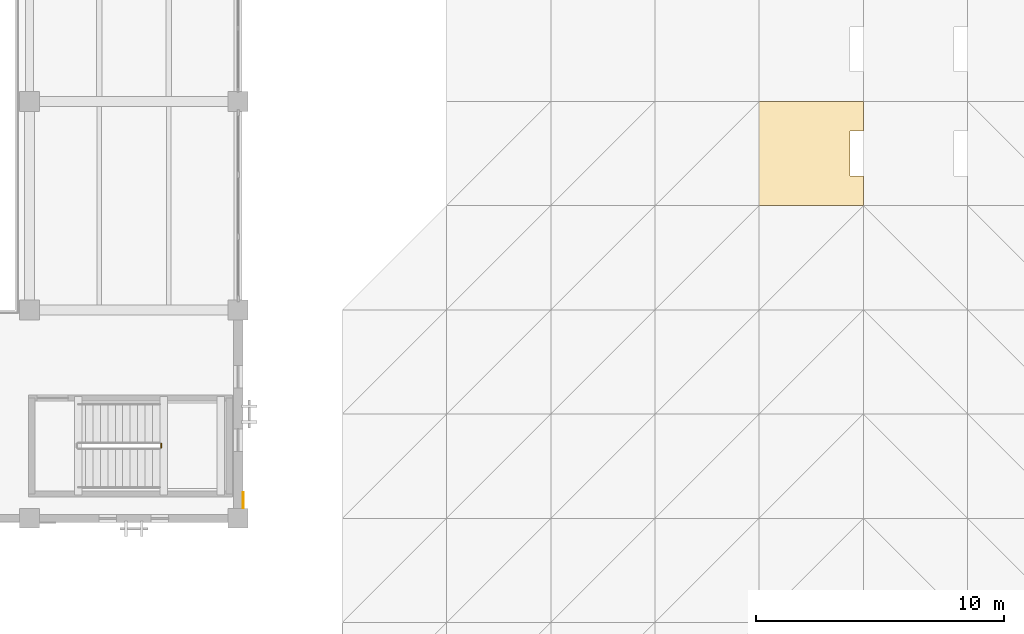
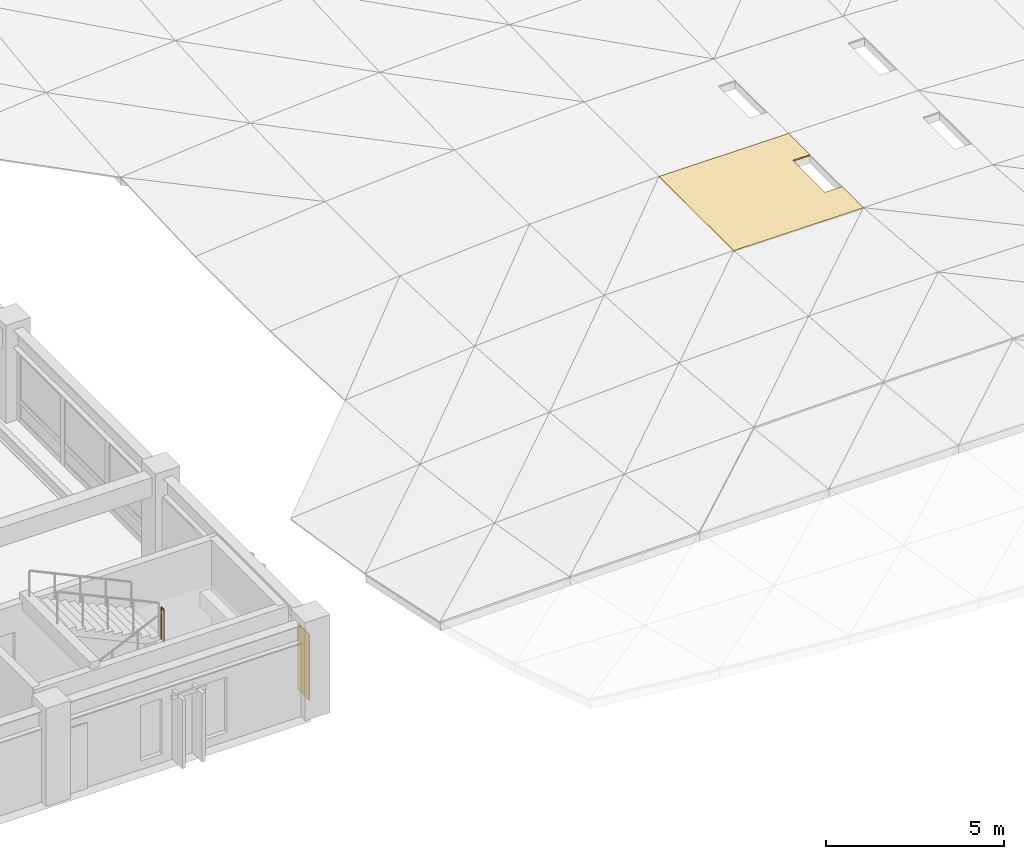
# One storey, part 108 of 123: 2 coverings, 1 railing.
"""IFC4 building model written with IfcOpenShell, lengths in metres."""

import ifcopenshell
import ifcopenshell.guid

model = None  # the IFC model being written
_history = None  # IfcOwnerHistory: only IFC2X3 demands one
_inside = {}  # id of a spatial element -> (the spatial element, [elements in it])
_under = {}  # id of a project, library or spatial element -> (it, [spatial elements below it])
_declared = {}  # id of a project -> (the project, [libraries it declares])
_typed = {}  # id of a type object -> (the type object, [elements of that type])
_made_of = {}  # id of a material, layer set ... -> (it, [elements and type objects made of it])


def new_model(schema):
    """Start an empty IFC model of exactly this schema.

    Asked for "IFC4X3", IfcOpenShell would pick the latest addendum, in which some entities
    have other attributes; the version numbers below select the first issue.
    IFC2X3 requires an IfcOwnerHistory on every rooted entity: one is made here for all.
    """
    global model, _history
    if schema == "IFC4X3":
        model = ifcopenshell.file(schema_version=(4, 3, 0, 0))
    else:
        model = ifcopenshell.file(schema=schema)
    _inside.clear()
    _under.clear()
    _declared.clear()
    _typed.clear()
    _made_of.clear()
    _history = None
    if model.schema == "IFC2X3":
        org = make("IfcOrganization", Name="unknown")
        user = make(
            "IfcPersonAndOrganization",
            ThePerson=make("IfcPerson", FamilyName="unknown"),
            TheOrganization=org,
        )
        app = make(
            "IfcApplication",
            ApplicationDeveloper=org,
            Version="unknown",
            ApplicationFullName="unknown",
            ApplicationIdentifier="unknown",
        )
        _history = make(
            "IfcOwnerHistory",
            OwningUser=user,
            OwningApplication=app,
            ChangeAction="ADDED",
            CreationDate=0,
        )
    return model


def make(cls, **values):
    """One entity of the class cls with the attributes given. An attribute that is None is left unset."""
    return model.create_entity(
        cls, **{name: value for name, value in values.items() if value is not None}
    )


def rooted(cls, **values):
    """An entity with a GlobalId (a new one), such as an element, a storey or a relation."""
    return make(cls, GlobalId=ifcopenshell.guid.new(), OwnerHistory=_history, **values)


def si_unit(unit_type, name, prefix=None):
    """IfcSIUnit, for example si_unit("LENGTHUNIT", "METRE", prefix="MILLI")."""
    return make("IfcSIUnit", UnitType=unit_type, Prefix=prefix, Name=name)


def assignment(units):
    """IfcUnitAssignment: the units of a project."""
    return None if units is None else make("IfcUnitAssignment", Units=units)


def point(xyz):
    """IfcCartesianPoint."""
    return None if xyz is None else make("IfcCartesianPoint", Coordinates=xyz)


def direction(xyz):
    """IfcDirection."""
    return None if xyz is None else make("IfcDirection", DirectionRatios=xyz)


def frame(location, z_axis=None, x_axis=None):
    """IfcAxis2Placement3D, a coordinate frame: its origin and axes. An axis left out is left unset."""
    return make(
        "IfcAxis2Placement3D",
        Location=point(location),
        Axis=direction(z_axis),
        RefDirection=direction(x_axis),
    )


def frame_2d(location, x_axis=None):
    """IfcAxis2Placement2D, a coordinate frame in the plane: its origin and x axis."""
    return make(
        "IfcAxis2Placement2D", Location=point(location), RefDirection=direction(x_axis)
    )


def origin():
    """The frame at (0, 0, 0) with its axes left unset."""
    return frame((0.0, 0.0, 0.0))


def origin_2d():
    """The frame at (0, 0) in the plane with its x axis left unset."""
    return frame_2d((0.0, 0.0))


def place(relative_to, where):
    """IfcLocalPlacement: puts the frame where relative to a parent placement (None: the world)."""
    return make(
        "IfcLocalPlacement", PlacementRelTo=relative_to, RelativePlacement=where
    )


def context(
    kind, dimensions, precision=None, world=None, true_north=None, identifier=None
):
    """IfcGeometricRepresentationContext, for example the 3D "Model" context."""
    return make(
        "IfcGeometricRepresentationContext",
        ContextIdentifier=identifier,
        ContextType=kind,
        CoordinateSpaceDimension=dimensions,
        Precision=precision,
        WorldCoordinateSystem=world,
        TrueNorth=true_north,
    )


def subcontext(parent, identifier, kind, view, scale=None):
    """IfcGeometricRepresentationSubContext, for example "Body" below "Model"."""
    return make(
        "IfcGeometricRepresentationSubContext",
        ContextIdentifier=identifier,
        ContextType=kind,
        ParentContext=parent,
        TargetScale=scale,
        TargetView=view,
    )


def project(units=None, contexts=None):
    """IfcProject with its units and contexts."""
    return rooted(
        "IfcProject",
        Name="project",
        RepresentationContexts=contexts,
        UnitsInContext=assignment(units),
    )


def spatial(cls, under=None, at=None, **own):
    """A site, building, storey or space (cls), placed at a placement, below another one or the project."""
    s = rooted(cls, ObjectPlacement=at, **own)
    if under is not None:
        _under.setdefault(under.id(), (under, []))[1].append(s)
    return s


def polyline(points):
    """IfcPolyline through the points."""
    return make("IfcPolyline", Points=[point(p) for p in points])


def profile(cls, at=None, kind="AREA", **sizes):
    """A parametric profile (cls). Its sizes go by their IFC names, for example OverallWidth=200.0."""
    return make(cls, ProfileType=kind, Position=at, **sizes)


def circle(**sizes):
    """IfcCircleProfileDef."""
    return profile("IfcCircleProfileDef", **sizes)


def outline(outer, holes=None, kind="AREA"):
    """IfcArbitraryClosedProfileDef: a profile drawn as a closed curve; with holes, ...WithVoids."""
    if holes is None:
        return make("IfcArbitraryClosedProfileDef", ProfileType=kind, OuterCurve=outer)
    return make(
        "IfcArbitraryProfileDefWithVoids",
        ProfileType=kind,
        OuterCurve=outer,
        InnerCurves=holes,
    )


def extrude(swept, where, along, depth):
    """IfcExtrudedAreaSolid: the profile swept, set in the frame where, extruded along a direction by depth."""
    return make(
        "IfcExtrudedAreaSolid",
        SweptArea=swept,
        Position=where,
        ExtrudedDirection=direction(along),
        Depth=depth,
    )


def shape(context_of_items, identifier, shape_type, items):
    """IfcShapeRepresentation: the items that make up one representation, for example the "Body"."""
    return make(
        "IfcShapeRepresentation",
        ContextOfItems=context_of_items,
        RepresentationIdentifier=identifier,
        RepresentationType=shape_type,
        Items=items,
    )


def material(Name=None, Category=None):
    """IfcMaterial."""
    return make("IfcMaterial", Name=Name, Category=Category)


def layer(
    of_material, thickness, ventilated=None, Name=None, Category=None, Priority=None
):
    """IfcMaterialLayer: one layer of a wall or slab, of a material (None: an air gap)."""
    return make(
        "IfcMaterialLayer",
        Material=of_material,
        LayerThickness=thickness,
        IsVentilated=ventilated,
        Name=Name,
        Category=Category,
        Priority=Priority,
    )


def layer_set(layers, Name=None):
    """IfcMaterialLayerSet."""
    return make("IfcMaterialLayerSet", MaterialLayers=layers, LayerSetName=Name)


def made_of(thing, what):
    """Note that an element or type object is made of a material, layer set ...; save() writes the relation."""
    if what is not None:
        _made_of.setdefault(what.id(), (what, []))[1].append(thing)
    return thing


def type_object(cls, material=None, **own):
    """A type object (cls), such as IfcWallType, which elements share."""
    return made_of(rooted(cls, **own), material)


def element(
    cls,
    number,
    at=None,
    inside=None,
    cuts=None,
    type_object=None,
    material=None,
    context=None,
    identifier="Body",
    shape_type=None,
    held_by="IfcProductDefinitionShape",
    body=None,
    shapes=None,
    **own,
):
    """One element of the class cls, such as IfcWall. Its Tag is "e" and its number.

    at: its placement. inside: the storey or other place that contains it. cuts: it is an
    opening in that element (IfcRelVoidsElement). A single representation is given by context,
    identifier, shape_type and body (its items); several are given by shapes. held_by: the class
    of the entity that holds the representations. save() writes the other relations.
    """
    e = rooted(cls, Tag="e%d" % number, ObjectPlacement=at, **own)
    if body is not None:
        shapes = [shape(context, identifier, shape_type, body)]
    if shapes is not None:
        e.Representation = make(held_by, Representations=shapes)
    if inside is not None:
        _inside.setdefault(inside.id(), (inside, []))[1].append(e)
    if cuts is not None:
        rooted(
            "IfcRelVoidsElement", RelatingBuildingElement=cuts, RelatedOpeningElement=e
        )
    if type_object is not None:
        _typed.setdefault(type_object.id(), (type_object, []))[1].append(e)
    return made_of(e, material)


def aggregate(whole, parts):
    """IfcRelAggregates: a whole, such as a stair, and the parts it consists of."""
    return rooted("IfcRelAggregates", RelatingObject=whole, RelatedObjects=parts)


def save(model, path):
    """Write the relations noted so far, then the file.

    IfcRelAggregates (storeys below a building ...), IfcRelContainedInSpatialStructure (elements
    in a storey), IfcRelDefinesByType, IfcRelAssociatesMaterial and IfcRelDeclares: one each for
    every whole, place, type object, material and project.
    """
    for whole, parts in _under.values():
        aggregate(whole, parts)
    for where, things in _inside.values():
        rooted(
            "IfcRelContainedInSpatialStructure",
            RelatedElements=things,
            RelatingStructure=where,
        )
    for kind, things in _typed.values():
        rooted("IfcRelDefinesByType", RelatedObjects=things, RelatingType=kind)
    for what, things in _made_of.values():
        rooted("IfcRelAssociatesMaterial", RelatedObjects=things, RelatingMaterial=what)
    for by, libraries in _declared.values():
        rooted("IfcRelDeclares", RelatingContext=by, RelatedDefinitions=libraries)
    model.write(path)


model = new_model("IFC4")

# Units and contexts
model_context = context("Model", 3, precision=1e-05, world=origin(), true_north=direction((0.0, 1.0)))
body_context = subcontext(model_context, "Body", "Model", "MODEL_VIEW")
ifc_project = project(units=[si_unit("LENGTHUNIT", "METRE"), si_unit("AREAUNIT", "SQUARE_METRE"), si_unit("VOLUMEUNIT", "CUBIC_METRE"), si_unit("PLANEANGLEUNIT", "RADIAN"), si_unit("MASSUNIT", "GRAM", prefix="KILO")], contexts=[model_context])

# Site, building, storey
site_placement = place(None, origin())
site = spatial("IfcSite", under=ifc_project, at=site_placement, CompositionType="ELEMENT")
building_placement = place(site_placement, origin())
building = spatial("IfcBuilding", under=site, at=building_placement, Name="Cumbredor Promenade Congress Hotel", CompositionType="ELEMENT")
storey_placement = place(building_placement, frame((0.0, 0.0, 11.760009765625)))
storey = spatial("IfcBuildingStorey", under=building, at=storey_placement, Name="L03", CompositionType="ELEMENT", Elevation=11.760009765625)

# Railing
ifc_material_1 = material(Name="Brushed stainless steel", Category="steel")
railing_type = type_object("IfcRailingType", Name="Interior Void & Stair Guardrail GR-1100", PredefinedType="GUARDRAIL", material=ifc_material_1)
railing_placement = place(storey_placement, frame((64.10009765625, 11.25, 1.679931640625)))
element("IfcRailing", 1, at=railing_placement, inside=storey, type_object=railing_type, Name="L03 ST-05 stair guard 2", PredefinedType="GUARDRAIL", context=body_context, shape_type="SweptSolid", body=[
    extrude(circle(Radius=0.02392578125, at=origin_2d()), frame((0.0, 0.0, 1.09619140625), z_axis=(0.0, 1.0, 0.0), x_axis=(-1.0, 0.0, 0.0)), (0.0, 0.0, 1.0), 0.14990234375),
    extrude(circle(Radius=0.02099609375, at=origin_2d()), origin(), (0.0, 0.0, 1.0), 1.072021484375),
    extrude(circle(Radius=0.02099609375, at=origin_2d()), frame((0.0, 0.14990234375, 0.0)), (0.0, 0.0, 1.0), 1.072021484375),
])

# Coverings
ifc_material_2 = material(Name="Standing-seam zinc-aluminium roofing", Category="aluminium")
ifc_layer_1 = layer(ifc_material_2, 0.044921875, Name="Standing-seam zinc-aluminium roofing", Category="aluminium")
ifc_layer_set_1 = layer_set([ifc_layer_1], Name="Standing-seam zinc-aluminium roofing")
covering_type_1 = type_object("IfcCoveringType", Name="Standing Seam Patinated Bronze-Zinc Flashing 45mm", PredefinedType="ROOFING", material=ifc_layer_set_1)
covering_1_placement = place(storey_placement, frame((0.0, 0.0, 0.6923828125)))
element("IfcCovering", 2, at=covering_1_placement, inside=storey, type_object=covering_type_1, Name="Thermal Spa and Hydrotherapy Pavilion Saddle Standing Seam Flashing 5.6", PredefinedType="ROOFING", context=body_context, shape_type="SweptSolid", body=[
    extrude(outline(polyline([(88.199951171875, 21.0), (92.39990234375, 21.0), (92.39990234375, 22.199951171875), (91.85009765625, 22.199951171875), (91.85009765625, 24.0), (92.39990234375, 24.0), (92.39990234375, 25.199951171875), (88.199951171875, 25.199951171875), (88.199951171875, 21.0)])), origin(), (0.0, 0.0, 1.0), 0.045166015625),
])
ifc_material_3 = material(Name="Volcanic andesite ashlar cladding", Category="masonry")
ifc_layer_2 = layer(ifc_material_3, 0.034912109375, Name="Volcanic andesite ashlar cladding", Category="masonry")
ifc_layer_set_2 = layer_set([ifc_layer_2], Name="Volcanic andesite ashlar cladding")
covering_type_2 = type_object("IfcCoveringType", Name="Volcanic Andesite Ashlar Rainscreen Cladding 35mm", PredefinedType="CLADDING", material=ifc_layer_set_2)
covering_2_placement = place(storey_placement, origin())
element("IfcCovering", 3, at=covering_2_placement, inside=storey, type_object=covering_type_2, Name="L03 Facade Stone Cladding Pier 139", PredefinedType="CLADDING", context=body_context, shape_type="SweptSolid", body=[
    extrude(outline(polyline([(67.389892578125, 8.801025390625), (67.389892578125, 9.450927734375), (67.425048828125, 9.450927734375), (67.425048828125, 8.801025390625), (67.389892578125, 8.801025390625)])), origin(), (0.0, 0.0, 1.0), 2.25),
])

save(model, "model.ifc")
